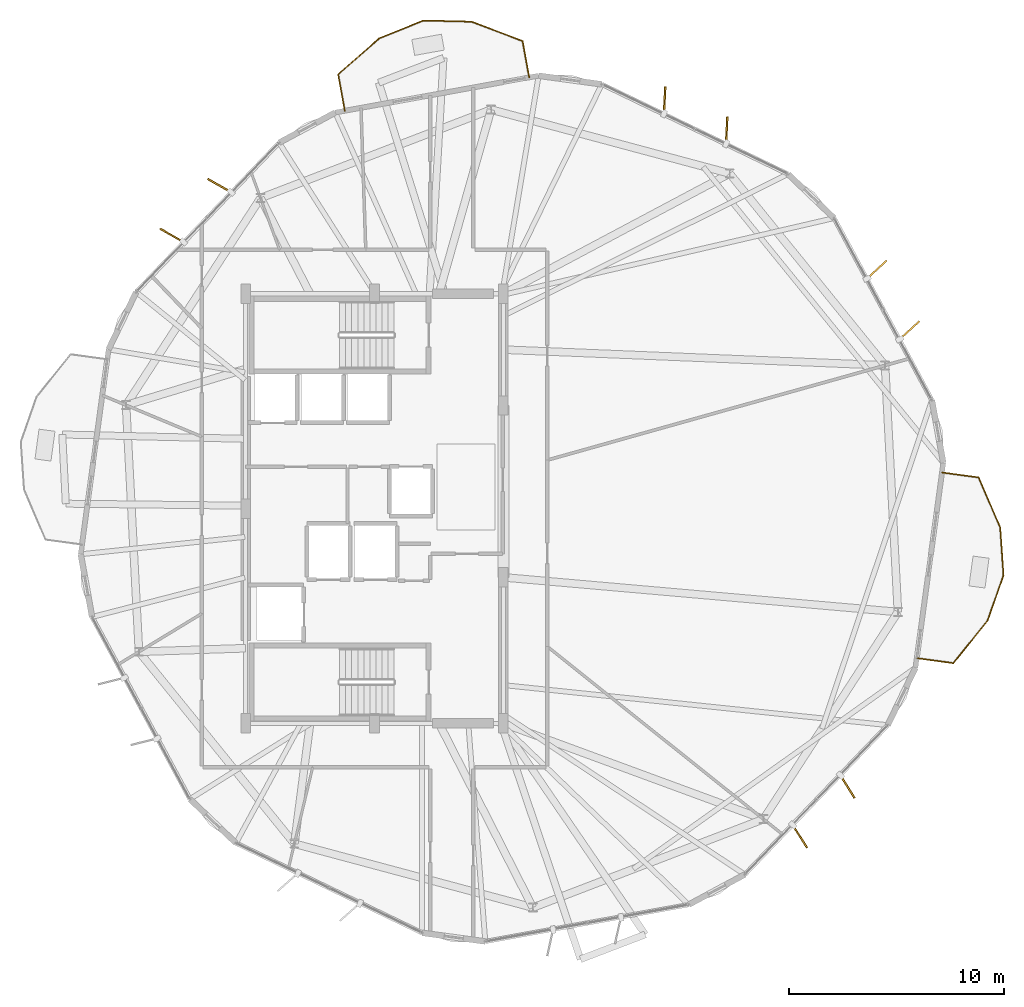
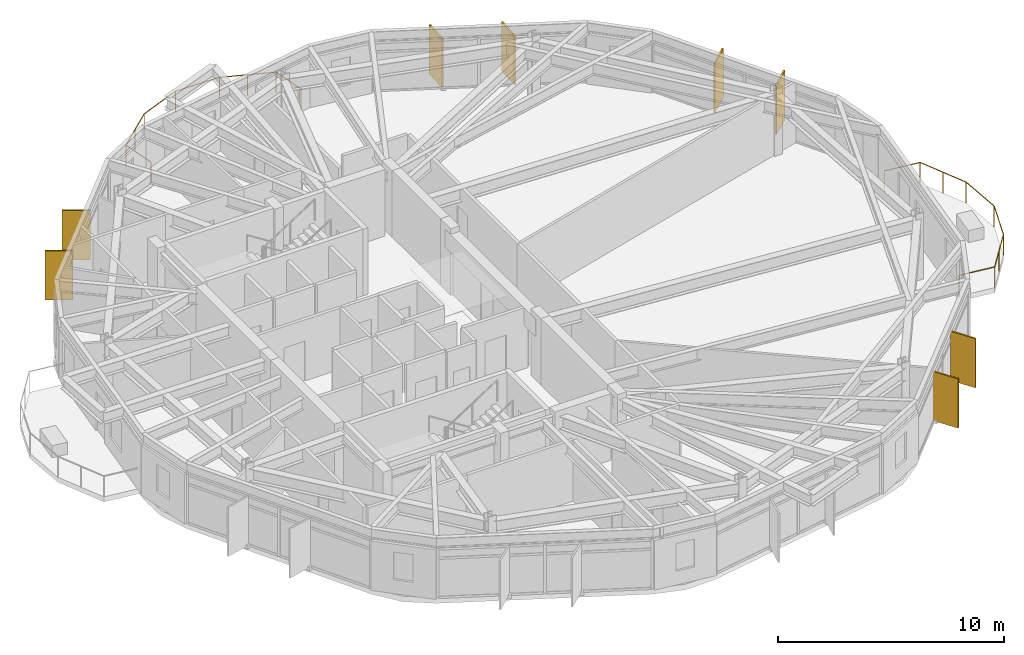
# One storey, part 27 of 27: 8 shading devices, 2 railings.
"""IFC4 building model written with IfcOpenShell, lengths in metres."""

from ifc_helpers import new_model, si_unit, direction, frame, origin, origin_2d, place, context, subcontext, project, spatial, rectangle, circle, extrude, material, layer, layer_set, type_object, element, save


model = new_model("IFC4")

# Units and contexts
model_context = context("Model", 3, precision=1e-05, world=origin(), true_north=direction((0.0, 1.0)))
body_context = subcontext(model_context, "Body", "Model", "MODEL_VIEW")
ifc_project = project(units=[si_unit("LENGTHUNIT", "METRE"), si_unit("AREAUNIT", "SQUARE_METRE"), si_unit("VOLUMEUNIT", "CUBIC_METRE"), si_unit("PLANEANGLEUNIT", "RADIAN"), si_unit("MASSUNIT", "GRAM", prefix="KILO")], contexts=[model_context])

# Site, building, storey
site_placement = place(None, origin())
site = spatial("IfcSite", under=ifc_project, at=site_placement, CompositionType="ELEMENT")
building_placement = place(site_placement, origin())
building = spatial("IfcBuilding", under=site, at=building_placement, Name="Soratama Intermodal Tower", CompositionType="ELEMENT")
storey_placement = place(building_placement, frame((0.0, 0.0, 208.60009765625)))
storey = spatial("IfcBuildingStorey", under=building, at=storey_placement, Name="L52", CompositionType="ELEMENT", Elevation=208.60009765625)

# Railings
ifc_material_1 = material(Name="Laminated glass and stainless steel balustrade", Category="steel")
railing_type = type_object("IfcRailingType", Name="RL-BAL-1150", PredefinedType="BALUSTRADE", material=ifc_material_1)
railing_1_placement = place(storey_placement, frame((65.018798828125, 26.681396484375, 0.0)))
element("IfcRailing", 1, at=railing_1_placement, inside=storey, type_object=railing_type, Name="L52 Balcony Balustrade 1", PredefinedType="BALUSTRADE", context=body_context, shape_type="SweptSolid", body=[
    extrude(circle(Radius=0.02392578125, at=origin_2d()), frame((0.0, 0.0, 1.1259765625), z_axis=(0.990883649297, -0.13472042739, 0.0), x_axis=(0.13472042739, 0.990883649297, 0.0)), (0.0, 0.0, 1.0), 1.7197265625),
    extrude(circle(Radius=0.02392578125, at=origin_2d()), frame((1.7041015625, -0.231689453125, 1.1259765625), z_axis=(0.395088477602, -0.918643072617, 0.0), x_axis=(0.918643072617, 0.395088477602, 0.0)), (0.0, 0.0, 1.0), 2.544677734375),
    extrude(circle(Radius=0.02392578125, at=origin_2d()), frame((2.70947265625, -2.5693359375, 1.1259765625), z_axis=(0.067865153543, -0.997694502809, 0.0), x_axis=(0.997694502809, 0.067865153543, 0.0)), (0.0, 0.0, 1.0), 2.226806640625),
    extrude(circle(Radius=0.02392578125, at=origin_2d()), frame((2.860595703125, -4.791015625, 1.1259765625), z_axis=(-0.331678545525, -0.943392464693, 0.0), x_axis=(0.943392464693, -0.331678545525, 0.0)), (0.0, 0.0, 1.0), 2.2265625),
    extrude(circle(Radius=0.02392578125, at=origin_2d()), frame((2.1220703125, -6.8916015625, 1.1259765625), z_axis=(-0.625911086254, -0.779894423691, 0.0), x_axis=(0.779894423691, -0.625911086254, 0.0)), (0.0, 0.0, 1.0), 2.544677734375),
    extrude(circle(Radius=0.02392578125, at=origin_2d()), frame((0.529296875, -8.876220703125, 1.1259765625), z_axis=(-0.990905161174, 0.134562110413, 0.0), x_axis=(-0.134562110413, -0.990905161174, 0.0)), (0.0, 0.0, 1.0), 1.719970703125),
    extrude(circle(Radius=0.02099609375, at=origin_2d()), origin(), (0.0, 0.0, 1.0), 1.101806640625),
    extrude(circle(Radius=0.02099609375, at=origin_2d()), frame((1.7041015625, -0.231689453125, 0.0)), (0.0, 0.0, 1.0), 1.101806640625),
    extrude(circle(Radius=0.02099609375, at=origin_2d()), frame((2.206787109375, -1.400390625, 0.0)), (0.0, 0.0, 1.0), 1.101806640625),
    extrude(circle(Radius=0.02099609375, at=origin_2d()), frame((2.70947265625, -2.5693359375, 0.0)), (0.0, 0.0, 1.0), 1.101806640625),
    extrude(circle(Radius=0.02099609375, at=origin_2d()), frame((2.860595703125, -4.791015625, 0.0)), (0.0, 0.0, 1.0), 1.101806640625),
    extrude(circle(Radius=0.02099609375, at=origin_2d()), frame((2.1220703125, -6.8916015625, 0.0)), (0.0, 0.0, 1.0), 1.101806640625),
    extrude(circle(Radius=0.02099609375, at=origin_2d()), frame((1.32568359375, -7.8837890625, 0.0)), (0.0, 0.0, 1.0), 1.101806640625),
    extrude(circle(Radius=0.02099609375, at=origin_2d()), frame((0.529296875, -8.876220703125, 0.0)), (0.0, 0.0, 1.0), 1.101806640625),
    extrude(circle(Radius=0.02099609375, at=origin_2d()), frame((-1.175048828125, -8.644775390625, 0.0)), (0.0, 0.0, 1.0), 1.101806640625),
])
railing_2_placement = place(storey_placement, frame((37.21484375, 43.51953125, 0.0)))
element("IfcRailing", 2, at=railing_2_placement, inside=storey, type_object=railing_type, Name="L52 Balcony Balustrade 2", PredefinedType="BALUSTRADE", context=body_context, shape_type="SweptSolid", body=[
    extrude(circle(Radius=0.02392578125, at=origin_2d()), frame((0.0, 0.0, 1.1259765625), z_axis=(-0.17814837894, 0.984003635705, 0.0), x_axis=(-0.984003635705, -0.17814837894, 0.0)), (0.0, 0.0, 1.0), 1.719970703125),
    extrude(circle(Radius=0.02392578125, at=origin_2d()), frame((-0.306396484375, 1.6923828125, 1.1259765625), z_axis=(0.75165480759, 0.659556707362, 0.0), x_axis=(-0.659556707362, 0.75165480759, 0.0)), (0.0, 0.0, 1.0), 2.544921875),
    extrude(circle(Radius=0.02392578125, at=origin_2d()), frame((1.6064453125, 3.370849609375, 1.1259765625), z_axis=(0.927878144286, 0.372883560052, 0.0), x_axis=(-0.372883560052, 0.927878144286, 0.0)), (0.0, 0.0, 1.0), 2.226806640625),
    extrude(circle(Radius=0.02392578125, at=origin_2d()), frame((3.672607421875, 4.201171875, 1.1259765625), z_axis=(0.999711682367, -0.024011500158, 0.0), x_axis=(0.024011500158, 0.999711682367, 0.0)), (0.0, 0.0, 1.0), 2.226806640625),
    extrude(circle(Radius=0.02392578125, at=origin_2d()), frame((5.898681640625, 4.147705078125, 1.1259765625), z_axis=(0.935160889924, -0.354223248753, 0.0), x_axis=(0.354223248753, 0.935160889924, 0.0)), (0.0, 0.0, 1.0), 2.544677734375),
    extrude(circle(Radius=0.02392578125, at=origin_2d()), frame((8.2783203125, 3.246337890625, 1.1259765625), z_axis=(0.178123498557, -0.984008139835, 0.0), x_axis=(0.984008139835, 0.178123498557, 0.0)), (0.0, 0.0, 1.0), 1.72021484375),
    extrude(circle(Radius=0.02099609375, at=origin_2d()), origin(), (0.0, 0.0, 1.0), 1.101806640625),
    extrude(circle(Radius=0.02099609375, at=origin_2d()), frame((-0.306396484375, 1.6923828125, 0.0)), (0.0, 0.0, 1.0), 1.101806640625),
    extrude(circle(Radius=0.02099609375, at=origin_2d()), frame((0.64990234375, 2.53173828125, 0.0)), (0.0, 0.0, 1.0), 1.101806640625),
    extrude(circle(Radius=0.02099609375, at=origin_2d()), frame((1.6064453125, 3.370849609375, 0.0)), (0.0, 0.0, 1.0), 1.101806640625),
    extrude(circle(Radius=0.02099609375, at=origin_2d()), frame((3.672607421875, 4.201171875, 0.0)), (0.0, 0.0, 1.0), 1.101806640625),
    extrude(circle(Radius=0.02099609375, at=origin_2d()), frame((5.898681640625, 4.147705078125, 0.0)), (0.0, 0.0, 1.0), 1.101806640625),
    extrude(circle(Radius=0.02099609375, at=origin_2d()), frame((7.08837890625, 3.697021484375, 0.0)), (0.0, 0.0, 1.0), 1.101806640625),
    extrude(circle(Radius=0.02099609375, at=origin_2d()), frame((8.2783203125, 3.246337890625, 0.0)), (0.0, 0.0, 1.0), 1.101806640625),
    extrude(circle(Radius=0.02099609375, at=origin_2d()), frame((8.584716796875, 1.5537109375, 0.0)), (0.0, 0.0, 1.0), 1.101806640625),
])

# Shading devices
ifc_material_2 = material(Name="Champagne anodised aluminium solar fin", Category="aluminium")
ifc_layer = layer(ifc_material_2, 0.080078125)
ifc_layer_set = layer_set([ifc_layer], Name="Champagne anodised aluminium solar fin")
shading_device_type = type_object("IfcShadingDeviceType", Name="SH-FIN-1250", PredefinedType="USERDEFINED", material=ifc_layer_set)
for number, where, z_axis, x_axis, name in (
    (3, (54.993896484375, 42.61181640625, 0.02001953125), (0.0, 0.0, 1.0), (0.050767248716, 0.998710511839, 0.0), "L52 Solar Fin F01-1"),
    (4, (52.104248046875, 44.0048828125, 0.02001953125), (0.0, 0.0, 1.0), (0.050767248716, 0.998710511839, 0.0), "L52 Solar Fin F01-2"),
    (5, (31.38037109375, 40.035888671875, 0.02001953125), (0.0, 0.0, 1.0), (-0.869236182972, 0.494397065335, 0.0), "L52 Solar Fin F03-1"),
    (6, (29.162353515625, 37.718017578125, 0.02001953125), (0.0, 0.0, 1.0), (-0.869236182972, 0.494397065335, 0.0), "L52 Solar Fin F03-2"),
    (7, (58.402099609375, 9.737060546875, 0.02001953125), (0.0, 0.0, 1.0), (0.532137630417, -0.846657866138, 0.0), "L52 Solar Fin F08-1"),
    (8, (60.6201171875, 12.0546875, 0.02001953125), (0.0, 0.0, 1.0), (0.532137630417, -0.846657866138, 0.0), "L52 Solar Fin F08-2"),
    (9, (63.508544921875, 33.306640625, 0.02001953125), (0.0, 0.0, 1.0), (0.738808303288, 0.673915640857, 0.0), "L52 Solar Fin F10-1"),
    (10, (61.98974609375, 36.13232421875, 0.02001953125), (0.0, 0.0, 1.0), (0.738808303288, 0.673915640857, 0.0), "L52 Solar Fin F10-2"),
):
    element("IfcShadingDevice", number, at=place(storey_placement, frame(where, z_axis=z_axis, x_axis=x_axis)), inside=storey, type_object=shading_device_type, Name=name, ObjectType="FIN", PredefinedType="USERDEFINED", context=body_context, shape_type="SweptSolid", body=[
        extrude(rectangle(XDim=1.25, YDim=0.080078125, at=origin_2d()), origin(), (0.0, 0.0, 1.0), 2.658935546875),
    ])

save(model, "model.ifc")
